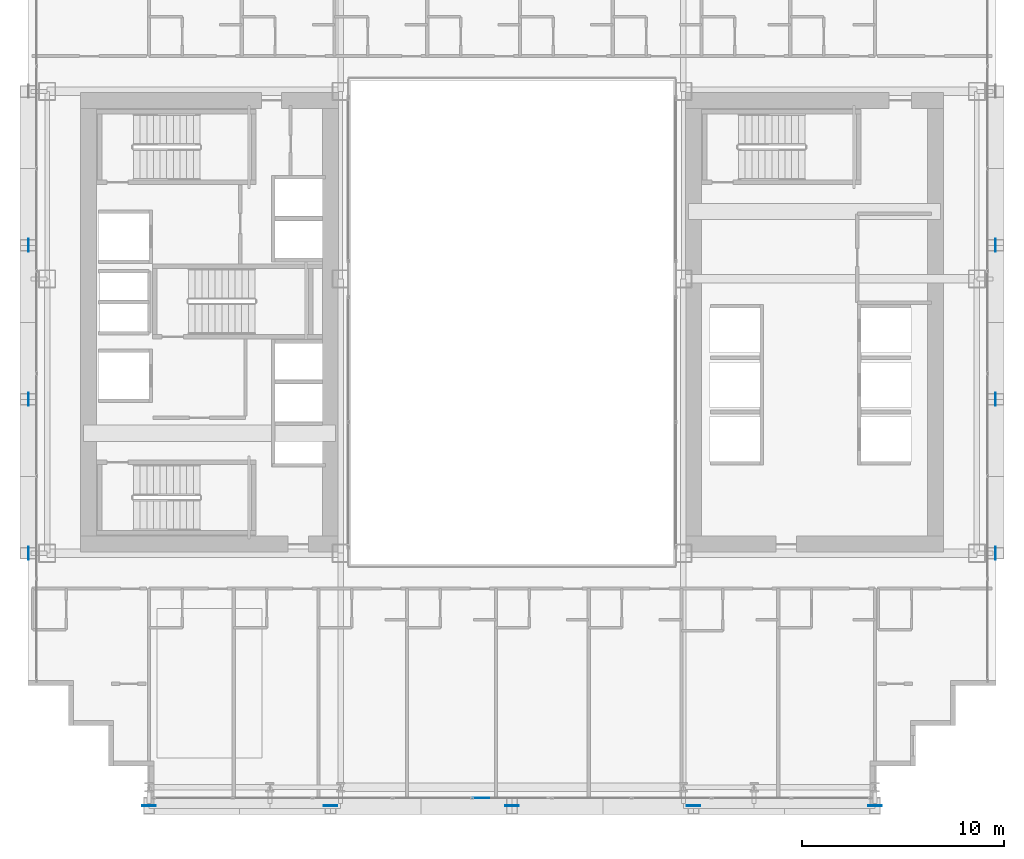
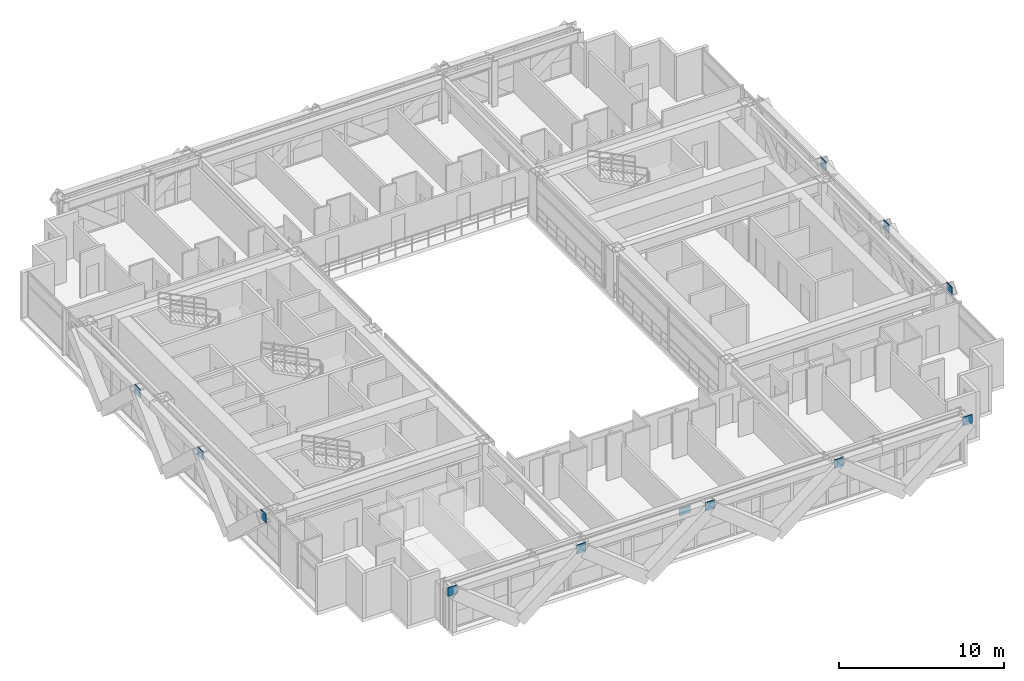
# One storey, part 31 of 41: 12 plates, 1 element without a shape of its own.
"""IFC4 building model written with IfcOpenShell, lengths in metres."""

from ifc_helpers import new_model, si_unit, direction, frame, origin, origin_2d, place, context, subcontext, project, spatial, rectangle, extrude, source, transform, mapped, material, layer, layer_set, type_object, element, aggregate, save


model = new_model("IFC4")

# Units and contexts
model_context = context("Model", 3, precision=1e-05, world=origin(), true_north=direction((0.0, 1.0)))
body_context = subcontext(model_context, "Body", "Model", "MODEL_VIEW")
ifc_project = project(units=[si_unit("LENGTHUNIT", "METRE"), si_unit("AREAUNIT", "SQUARE_METRE"), si_unit("VOLUMEUNIT", "CUBIC_METRE"), si_unit("PLANEANGLEUNIT", "RADIAN"), si_unit("MASSUNIT", "GRAM", prefix="KILO")], contexts=[model_context])

# Site, building, storey
site_placement = place(None, origin())
site = spatial("IfcSite", under=ifc_project, at=site_placement, CompositionType="ELEMENT")
building_placement = place(site_placement, origin())
building = spatial("IfcBuilding", under=site, at=building_placement, Name="Ocotamira Hotel", CompositionType="ELEMENT")
storey_placement = place(building_placement, frame((0.0, 0.0, 38.39990234375)))
storey = spatial("IfcBuildingStorey", under=building, at=storey_placement, Name="L08", CompositionType="ELEMENT", Elevation=38.39990234375)

# Plates
ifc_material_1 = material(Name="Pale-metal coated steel ASTM A572 Grade 50", Category="steel")
ifc_layer_1 = layer(ifc_material_1, 0.0400390625)
ifc_layer_set_1 = layer_set([ifc_layer_1], Name="Pale-metal coated steel ASTM A572 Grade 50")
plate_type_1 = type_object("IfcPlateType", Name="PLT-GUSSET-40", PredefinedType="SHEET", material=ifc_layer_set_1)
shared_shape_1 = source(origin(), body_context, "Body", "SweptSolid", [
    extrude(rectangle(XDim=0.64990234375, YDim=0.0400390625, at=origin_2d()), origin(), (0.0, 0.0, 1.0), 0.64990234375),
])
for number, where, z_axis, x_axis, name in (
    (1, (14.0, 2.030029296875, 2.775146484375), (0.0, 0.0, 1.0), (-1.0, 0.0, 0.0), "L08 Exoskeleton Diagrid S0.1 End Gusset B"),
    (2, (23.0, 2.030029296875, 2.775146484375), (0.0, 0.0, 1.0), (1.0, 0.0, 0.0), "L08 Exoskeleton Diagrid S0.2 End Gusset B"),
    (3, (32.0, 2.030029296875, 2.775146484375), (0.0, 0.0, 1.0), (1.0, 0.0, 0.0), "L08 Exoskeleton Diagrid S1.2 End Gusset B"),
    (4, (41.0, 2.030029296875, 2.775146484375), (0.0, 0.0, 1.0), (1.0, 0.0, 0.0), "L08 Exoskeleton Diagrid S2.2 End Gusset B"),
    (5, (50.0, 2.030029296875, 2.775146484375), (0.0, 0.0, 1.0), (1.0, 0.0, 0.0), "L08 Exoskeleton Diagrid S3.2 End Gusset B"),
):
    element("IfcPlate", number, at=place(storey_placement, frame(where, z_axis=z_axis, x_axis=x_axis)), inside=storey, type_object=plate_type_1, Name=name, PredefinedType="SHEET", context=body_context, shape_type="MappedRepresentation", body=[
        mapped(shared_shape_1, transform((0.0, 0.0, 0.0), scale=1.0)),
    ])
shared_shape_2 = source(origin(), body_context, "Body", "SweptSolid", [
    extrude(rectangle(XDim=0.0400390625, YDim=0.64990234375, at=origin_2d()), origin(), (0.0, 0.0, 1.0), 0.64990234375),
])
for number, where, z_axis, x_axis, name in (
    (6, (8.030029296875, 14.550048828125, 2.775146484375), (0.0, 0.0, 1.0), (1.0, 0.0, 0.0), "L08 Exoskeleton Diagrid W0.1 End Gusset B"),
    (7, (8.030029296875, 22.183349609375, 2.775146484375), (0.0, 0.0, 1.0), (1.0, 0.0, 0.0), "L08 Exoskeleton Diagrid W0.2 End Gusset B"),
    (8, (8.030029296875, 29.816650390625, 2.775146484375), (0.0, 0.0, 1.0), (1.0, 0.0, 0.0), "L08 Exoskeleton Diagrid W1.2 End Gusset B"),
    (9, (55.969970703125, 14.550048828125, 2.775146484375), (0.0, 0.0, 1.0), (1.0, 0.0, 0.0), "L08 Exoskeleton Diagrid E0.1 End Gusset B"),
    (10, (55.969970703125, 22.183349609375, 2.775146484375), (0.0, 0.0, 1.0), (1.0, 0.0, 0.0), "L08 Exoskeleton Diagrid E0.2 End Gusset B"),
    (11, (55.969970703125, 29.816650390625, 2.775146484375), (0.0, 0.0, 1.0), (1.0, 0.0, 0.0), "L08 Exoskeleton Diagrid E1.2 End Gusset B"),
):
    element("IfcPlate", number, at=place(storey_placement, frame(where, z_axis=z_axis, x_axis=x_axis)), inside=storey, type_object=plate_type_1, Name=name, PredefinedType="SHEET", context=body_context, shape_type="MappedRepresentation", body=[
        mapped(shared_shape_2, transform((0.0, 0.0, 0.0), scale=1.0)),
    ])

# Curtain wall, plate
ifc_material_2 = material(Name="Anodised pale-metal aluminium and solar glass", Category="aluminium")
ifc_layer_2 = layer(ifc_material_2, 0.179931640625)
ifc_layer_set_2 = layer_set([ifc_layer_2], Name="Anodised pale-metal aluminium and solar glass")
curtain_wall_type = type_object("IfcCurtainWallType", Name="CW-SYS2-Z1", PredefinedType="NOTDEFINED", material=ifc_layer_set_2)
curtain_wall_placement = place(storey_placement, origin())
curtain_wall = element("IfcCurtainWall", 12, at=curtain_wall_placement, inside=storey, type_object=curtain_wall_type, Name="L08 Curtain Wall CW-2 CW-L08-S1", PredefinedType="NOTDEFINED")
ifc_material_3 = material(Name="Double-silver low-E insulated solar glass", Category="glass")
ifc_layer_3 = layer(ifc_material_3, 0.031982421875)
ifc_layer_set_3 = layer_set([ifc_layer_3], Name="Double-silver low-E insulated solar glass")
plate_type_2 = type_object("IfcPlateType", Name="CWP-VISION-32", PredefinedType="CURTAIN_PANEL", material=ifc_layer_set_3)
shared_shape_3 = source(origin(), body_context, "Body", "SweptSolid", [
    extrude(rectangle(XDim=0.797607421875, YDim=0.031982421875, at=origin_2d()), origin(), (0.0, 0.0, 1.0), 0.5107421875),
])
plate_placement = place(storey_placement, frame((30.461181640625, 2.419921875, 2.764404296875), z_axis=(0.0, 0.0, 1.0), x_axis=(1.0, 0.0, 0.0)))
plate = element("IfcPlate", 13, at=plate_placement, type_object=plate_type_2, Name="CW-2 panel 5.2.1", PredefinedType="CURTAIN_PANEL", context=body_context, shape_type="MappedRepresentation", body=[
    mapped(shared_shape_3, transform((0.0, 0.0, 0.0), scale=1.0)),
])
aggregate(curtain_wall, [plate])

save(model, "model.ifc")
